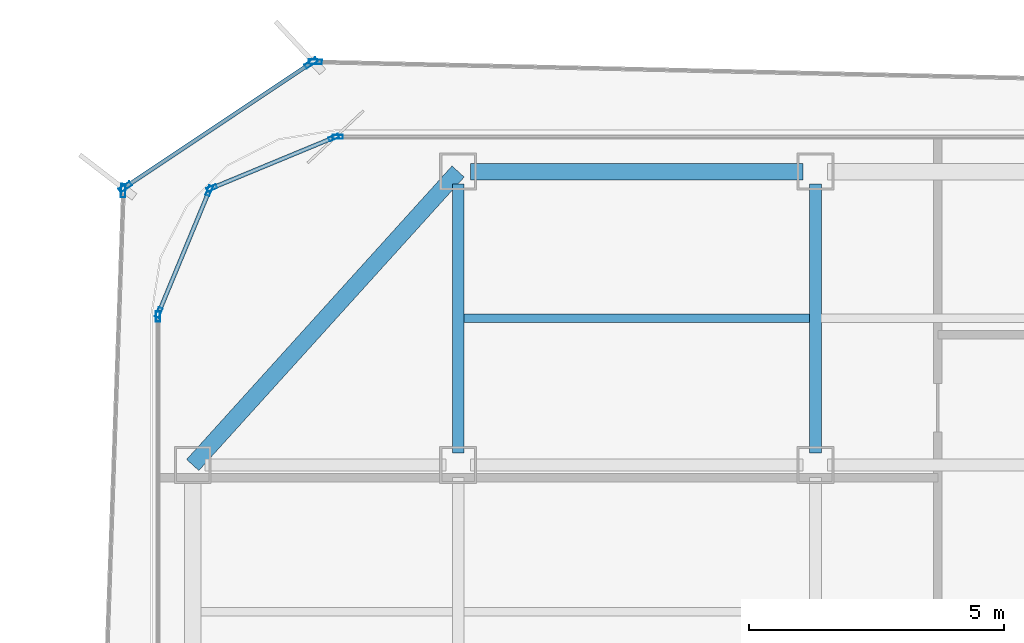
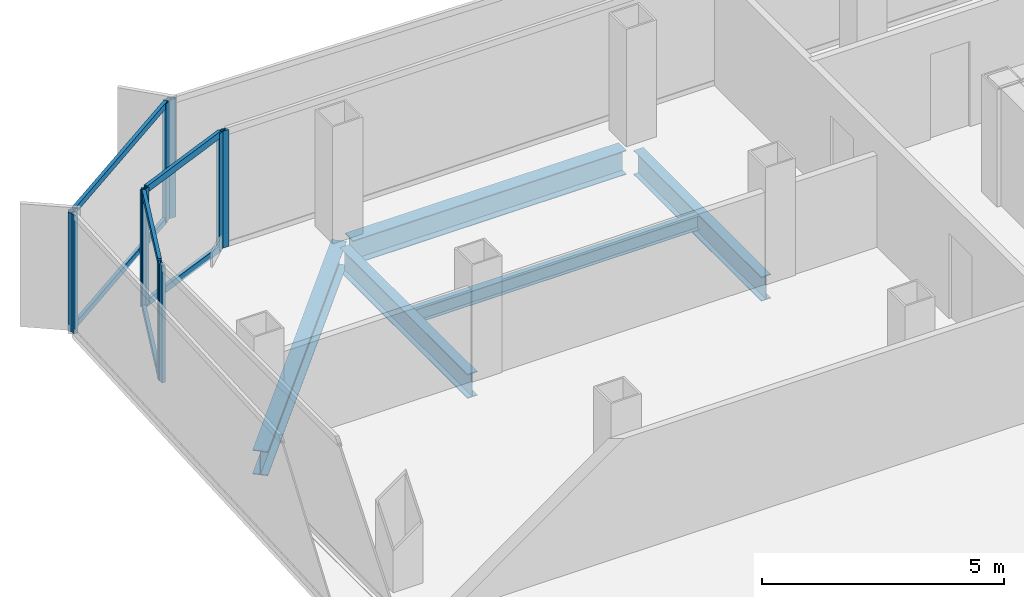
# One storey, part 6 of 16: 16 members, 5 beams, 7 elements without a shape of their own.
"""IFC4 building model written with IfcOpenShell, lengths in metres."""

from ifc_helpers import new_model, si_unit, direction, frame, origin, origin_2d, place, context, subcontext, project, spatial, hollow_rectangle, i_section, extrude, source, transform, mapped, material, layer, layer_set, material_profile, profile_set, type_object, element, aggregate, save


model = new_model("IFC4")

# Units and contexts
model_context = context("Model", 3, precision=1e-05, world=origin(), true_north=direction((0.0, 1.0)))
body_context = subcontext(model_context, "Body", "Model", "MODEL_VIEW")
ifc_project = project(units=[si_unit("LENGTHUNIT", "METRE"), si_unit("AREAUNIT", "SQUARE_METRE"), si_unit("VOLUMEUNIT", "CUBIC_METRE"), si_unit("PLANEANGLEUNIT", "RADIAN"), si_unit("MASSUNIT", "GRAM", prefix="KILO")], contexts=[model_context])

# Site, building, storey
site_placement = place(None, origin())
site = spatial("IfcSite", under=ifc_project, at=site_placement, CompositionType="ELEMENT")
building_placement = place(site_placement, origin())
building = spatial("IfcBuilding", under=site, at=building_placement, Name="Kolveth Station Tower", CompositionType="ELEMENT")
storey_placement = place(building_placement, frame((0.0, 0.0, 178.5)))
storey = spatial("IfcBuildingStorey", under=building, at=storey_placement, Name="L50", CompositionType="ELEMENT", Elevation=178.5)

# Beams
ifc_material_1 = material(Name="Steel S355", Category="steel")
ifc_material_profile_1 = material_profile(ifc_material_1, i_section(OverallWidth=0.323974609375, OverallDepth=0.611083984375, WebThickness=0.0126953125, FlangeThickness=0.01904296875, at=origin_2d()), Name="W610x155")
ifc_profile_set_1 = profile_set([ifc_material_profile_1], Name="Steel S355")
beam_type_1 = type_object("IfcBeamType", Name="Beam_SP2", PredefinedType="SPANDREL", material=ifc_profile_set_1)
shared_shape_1 = source(origin(), body_context, "Body", "SweptSolid", [
    extrude(i_section(OverallWidth=0.323974609375, OverallDepth=0.611083984375, WebThickness=0.0126953125, FlangeThickness=0.01904296875, at=origin_2d()), origin(), (0.0, 0.0, 1.0), 7.75244140625),
])
beam_1_placement = place(storey_placement, frame((6.0, 34.5, -0.555419921875), z_axis=(-0.670740965555, -0.74169168603, 0.0), x_axis=(0.74169168603, -0.670740965555, 0.0)))
element("IfcBeam", 1, at=beam_1_placement, inside=storey, type_object=beam_type_1, Name="L50 Corner Edge Girder BM-L50-CNR-NW", PredefinedType="SPANDREL", context=body_context, shape_type="MappedRepresentation", body=[
    mapped(shared_shape_1, transform((0.0, 0.0, 0.0), x_axis=(1.0, 0.0, 0.0), y_axis=(0.0, 1.0, 0.0), z_axis=(0.0, 0.0, 1.0), scale=1.0)),
])
shared_shape_2 = source(origin(), body_context, "Body", "SweptSolid", [
    extrude(i_section(OverallWidth=0.323974609375, OverallDepth=0.611083984375, WebThickness=0.0126953125, FlangeThickness=0.01904296875, at=origin_2d()), origin(), (0.0, 0.0, 1.0), 6.52001953125),
])
beam_2_placement = place(storey_placement, frame((6.239990234375, 34.5, -0.555419921875), z_axis=(1.0, 0.0, 0.0), x_axis=(0.0, 1.0, 0.0)))
element("IfcBeam", 2, at=beam_2_placement, inside=storey, type_object=beam_type_1, Name="L50 Perimeter Spandrel BM-L50-PN-1", PredefinedType="SPANDREL", context=body_context, shape_type="MappedRepresentation", body=[
    mapped(shared_shape_2, transform((0.0, 0.0, 0.0), x_axis=(1.0, 0.0, 0.0), y_axis=(0.0, 1.0, 0.0), z_axis=(0.0, 0.0, 1.0), scale=1.0)),
])
ifc_material_profile_2 = material_profile(ifc_material_1, i_section(OverallWidth=0.22900390625, OverallDepth=0.612060546875, WebThickness=0.011962890625, FlangeThickness=0.01953125, at=origin_2d()), Name="W610x125")
ifc_profile_set_2 = profile_set([ifc_material_profile_2], Name="Steel S355")
beam_type_2 = type_object("IfcBeamType", Name="Beam_B5", PredefinedType="BEAM", material=ifc_profile_set_2)
shared_shape_3 = source(origin(), body_context, "Body", "SweptSolid", [
    extrude(i_section(OverallWidth=0.22900390625, OverallDepth=0.612060546875, WebThickness=0.011962890625, FlangeThickness=0.01953125, at=origin_2d()), origin(), (0.0, 0.0, 1.0), 5.27001953125),
])
for number, where, z_axis, x_axis, name in (
    (3, (6.0, 28.989990234375, -0.555908203125), (0.0, 1.0, 0.0), (-1.0, 0.0, 0.0), "L50 Primary Girder BM-L50-GX60-6"),
    (4, (13.0, 28.989990234375, -0.555908203125), (0.0, 1.0, 0.0), (-1.0, 0.0, 0.0), "L50 Primary Girder BM-L50-GX130-6"),
):
    element("IfcBeam", number, at=place(storey_placement, frame(where, z_axis=z_axis, x_axis=x_axis)), inside=storey, type_object=beam_type_2, Name=name, PredefinedType="BEAM", context=body_context, shape_type="MappedRepresentation", body=[
        mapped(shared_shape_3, transform((0.0, 0.0, 0.0), x_axis=(1.0, 0.0, 0.0), y_axis=(0.0, 1.0, 0.0), z_axis=(0.0, 0.0, 1.0), scale=1.0)),
    ])
ifc_material_profile_3 = material_profile(ifc_material_1, i_section(OverallWidth=0.1708984375, OverallDepth=0.35205078125, WebThickness=0.0068359375, FlangeThickness=0.009765625, at=origin_2d()), Name="W360x44")
ifc_profile_set_3 = profile_set([ifc_material_profile_3], Name="Steel S355")
beam_type_3 = type_object("IfcBeamType", Name="Beam_J2", PredefinedType="JOIST", material=ifc_profile_set_3)
shared_shape_4 = source(origin(), body_context, "Body", "SweptSolid", [
    extrude(i_section(OverallWidth=0.1708984375, OverallDepth=0.35205078125, WebThickness=0.0068359375, FlangeThickness=0.009765625, at=origin_2d()), origin(), (0.0, 0.0, 1.0), 6.77490234375),
])
beam_3_placement = place(storey_placement, frame((6.112548828125, 31.625, -0.426025390625), z_axis=(1.0, 0.0, 0.0), x_axis=(0.0, 1.0, 0.0)))
element("IfcBeam", 5, at=beam_3_placement, inside=storey, type_object=beam_type_3, Name="L50 Secondary Joist JST-L50-2-6", PredefinedType="JOIST", context=body_context, shape_type="MappedRepresentation", body=[
    mapped(shared_shape_4, transform((0.0, 0.0, 0.0), x_axis=(1.0, 0.0, 0.0), y_axis=(0.0, 1.0, 0.0), z_axis=(0.0, 0.0, 1.0), scale=1.0)),
])

# Curtain wall, member
ifc_material_2 = material(Name="Aluminium 6063-T6 and low-E dark glass", Category="aluminium")
ifc_layer_1 = layer(ifc_material_2, 0.18994140625)
ifc_layer_set_1 = layer_set([ifc_layer_1], Name="Aluminium 6063-T6 and low-E dark glass")
curtain_wall_type_1 = type_object("IfcCurtainWallType", Name="CurtainWall_CW-Z2", PredefinedType="NOTDEFINED", material=ifc_layer_set_1)
curtain_wall_1_placement = place(storey_placement, origin())
curtain_wall_1 = element("IfcCurtainWall", 6, at=curtain_wall_1_placement, inside=storey, type_object=curtain_wall_type_1, Name="L50 Inner Thermal Curtain Wall 6", PredefinedType="NOTDEFINED")
ifc_material_3 = material(Name="Black anodized aluminium 6063-T6", Category="aluminium")
ifc_material_profile_4 = material_profile(ifc_material_3, hollow_rectangle(XDim=0.080078125, YDim=0.199951171875, WallThickness=0.0048828125, at=origin_2d()), Name="ALU-80x200x5")
ifc_profile_set_4 = profile_set([ifc_material_profile_4], Name="Black anodized aluminium 6063-T6")
member_type_1 = type_object("IfcMemberType", Name="Mullion_ML2", PredefinedType="MULLION", material=ifc_profile_set_4)
shared_shape_5 = source(origin(), body_context, "Body", "SweptSolid", [
    extrude(hollow_rectangle(XDim=0.080078125, YDim=0.199951171875, WallThickness=0.0048828125, at=origin_2d()), origin(), (0.0, 0.0, 1.0), 2.949951171875),
])
member_1_placement = place(storey_placement, frame((3.639892578125, 35.179931640625, 0.0), z_axis=(0.0, 0.0, 1.0), x_axis=(0.0, -1.0, 0.0)))
member_1 = element("IfcMember", 7, at=member_1_placement, type_object=member_type_1, Name="CW-Z2 mullion 2", PredefinedType="MULLION", context=body_context, shape_type="MappedRepresentation", body=[
    mapped(shared_shape_5, transform((0.0, 0.0, 0.0), x_axis=(1.0, 0.0, 0.0), y_axis=(0.0, 1.0, 0.0), z_axis=(0.0, 0.0, 1.0), scale=1.0)),
])
aggregate(curtain_wall_1, [member_1])

# Curtain wall, members
curtain_wall_2_placement = place(storey_placement, origin())
curtain_wall_2 = element("IfcCurtainWall", 8, at=curtain_wall_2_placement, inside=storey, type_object=curtain_wall_type_1, Name="L50 Inner Thermal Curtain Wall 7", PredefinedType="NOTDEFINED")
member_2_placement = place(storey_placement, frame((3.56298828125, 35.164794921875, 0.0), z_axis=(0.0, 0.0, 1.0), x_axis=(0.382697753087, -0.923873600544, 0.0)))
member_2 = element("IfcMember", 9, at=member_2_placement, type_object=member_type_1, Name="CW-Z2 mullion 1", PredefinedType="MULLION", context=body_context, shape_type="MappedRepresentation", body=[
    mapped(shared_shape_5, transform((0.0, 0.0, 0.0), x_axis=(1.0, 0.0, 0.0), y_axis=(0.0, 1.0, 0.0), z_axis=(0.0, 0.0, 1.0), scale=1.0)),
])
member_3_placement = place(storey_placement, frame((1.17626953125, 34.176025390625, 0.0), z_axis=(0.0, 0.0, 1.0), x_axis=(0.382697753087, -0.923873600544, 0.0)))
member_3 = element("IfcMember", 10, at=member_3_placement, type_object=member_type_1, Name="CW-Z2 mullion 2", PredefinedType="MULLION", context=body_context, shape_type="MappedRepresentation", body=[
    mapped(shared_shape_5, transform((0.0, 0.0, 0.0), x_axis=(1.0, 0.0, 0.0), y_axis=(0.0, 1.0, 0.0), z_axis=(0.0, 0.0, 1.0), scale=1.0)),
])

curtain_wall_3_placement = place(storey_placement, origin())
curtain_wall_3 = element("IfcCurtainWall", 11, at=curtain_wall_3_placement, inside=storey, type_object=curtain_wall_type_1, Name="L50 Inner Thermal Curtain Wall 8", PredefinedType="NOTDEFINED")
member_4_placement = place(storey_placement, frame((1.1240234375, 34.123779296875, 0.0), z_axis=(0.0, 0.0, 1.0), x_axis=(0.923873600544, -0.382697753087, 0.0)))
member_4 = element("IfcMember", 12, at=member_4_placement, type_object=member_type_1, Name="CW-Z2 mullion 1", PredefinedType="MULLION", context=body_context, shape_type="MappedRepresentation", body=[
    mapped(shared_shape_5, transform((0.0, 0.0, 0.0), x_axis=(1.0, 0.0, 0.0), y_axis=(0.0, 1.0, 0.0), z_axis=(0.0, 0.0, 1.0), scale=1.0)),
])
member_5_placement = place(storey_placement, frame((0.13525390625, 31.737060546875, 0.0), z_axis=(0.0, 0.0, 1.0), x_axis=(0.923873600544, -0.382697753087, 0.0)))
member_5 = element("IfcMember", 13, at=member_5_placement, type_object=member_type_1, Name="CW-Z2 mullion 2", PredefinedType="MULLION", context=body_context, shape_type="MappedRepresentation", body=[
    mapped(shared_shape_5, transform((0.0, 0.0, 0.0), x_axis=(1.0, 0.0, 0.0), y_axis=(0.0, 1.0, 0.0), z_axis=(0.0, 0.0, 1.0), scale=1.0)),
])

# Curtain wall, member
curtain_wall_4_placement = place(storey_placement, origin())
curtain_wall_4 = element("IfcCurtainWall", 14, at=curtain_wall_4_placement, inside=storey, type_object=curtain_wall_type_1, Name="L50 Inner Thermal Curtain Wall 9", PredefinedType="NOTDEFINED")
member_6_placement = place(storey_placement, frame((0.1201171875, 31.659912109375, 0.0), z_axis=(0.0, 0.0, 1.0), x_axis=(1.0, 0.0, 0.0)))
member_6 = element("IfcMember", 15, at=member_6_placement, type_object=member_type_1, Name="CW-Z2 mullion 1", PredefinedType="MULLION", context=body_context, shape_type="MappedRepresentation", body=[
    mapped(shared_shape_5, transform((0.0, 0.0, 0.0), x_axis=(1.0, 0.0, 0.0), y_axis=(0.0, 1.0, 0.0), z_axis=(0.0, 0.0, 1.0), scale=1.0)),
])
aggregate(curtain_wall_4, [member_6])

ifc_material_4 = material(Name="Black anodized aluminium 6063-T6 and dark solar glass", Category="aluminium")
ifc_layer_2 = layer(ifc_material_4, 0.159912109375)
ifc_layer_set_2 = layer_set([ifc_layer_2], Name="Black anodized aluminium 6063-T6 and dark solar glass")
curtain_wall_type_2 = type_object("IfcCurtainWallType", Name="OUTER SKIN CW-OS", PredefinedType="NOTDEFINED", material=ifc_layer_set_2)
curtain_wall_5_placement = place(storey_placement, origin())
curtain_wall_5 = element("IfcCurtainWall", 16, at=curtain_wall_5_placement, inside=storey, type_object=curtain_wall_type_2, Name="L50 Outer Ventilated Skin Curtain Wall 4", PredefinedType="NOTDEFINED")
ifc_material_profile_5 = material_profile(ifc_material_3, hollow_rectangle(XDim=0.090087890625, YDim=0.260009765625, WallThickness=0.0048828125, at=origin_2d()), Name="ALU-90x260x5")
ifc_profile_set_5 = profile_set([ifc_material_profile_5], Name="Black anodized aluminium 6063-T6")
member_type_2 = type_object("IfcMemberType", Name="FIN MULLION ML-OS", PredefinedType="MULLION", material=ifc_profile_set_5)
shared_shape_6 = source(origin(), body_context, "Body", "SweptSolid", [
    extrude(hollow_rectangle(XDim=0.090087890625, YDim=0.260009765625, WallThickness=0.0048828125, at=origin_2d()), origin(), (0.0, 0.0, 1.0), 2.989990234375),
])
member_7_placement = place(storey_placement, frame((3.203125, 36.650634765625, 0.0), z_axis=(0.0, 0.0, 1.0), x_axis=(-0.022766385466, -0.999740812257, 0.0)))
member_7 = element("IfcMember", 17, at=member_7_placement, type_object=member_type_2, Name="CW-OS mullion 2", PredefinedType="MULLION", context=body_context, shape_type="MappedRepresentation", body=[
    mapped(shared_shape_6, transform((0.0, 0.0, 0.0), x_axis=(1.0, 0.0, 0.0), y_axis=(0.0, 1.0, 0.0), z_axis=(0.0, 0.0, 1.0), scale=1.0)),
])
aggregate(curtain_wall_5, [member_7])

# Curtain wall, members
curtain_wall_6_placement = place(storey_placement, origin())
curtain_wall_6 = element("IfcCurtainWall", 18, at=curtain_wall_6_placement, inside=storey, type_object=curtain_wall_type_2, Name="L50 Outer Ventilated Skin Curtain Wall 5", PredefinedType="NOTDEFINED")
member_8_placement = place(storey_placement, frame((3.120849609375, 36.626708984375, 0.0), z_axis=(0.0, 0.0, 1.0), x_axis=(0.555159596798, -0.831743844031, 0.0)))
member_8 = element("IfcMember", 19, at=member_8_placement, type_object=member_type_2, Name="CW-OS mullion 1", PredefinedType="MULLION", context=body_context, shape_type="MappedRepresentation", body=[
    mapped(shared_shape_6, transform((0.0, 0.0, 0.0), x_axis=(1.0, 0.0, 0.0), y_axis=(0.0, 1.0, 0.0), z_axis=(0.0, 0.0, 1.0), scale=1.0)),
])
member_9_placement = place(storey_placement, frame((-0.522216796875, 34.195068359375, 0.0), z_axis=(0.0, 0.0, 1.0), x_axis=(0.555159596798, -0.831743844031, 0.0)))
member_9 = element("IfcMember", 20, at=member_9_placement, type_object=member_type_2, Name="CW-OS mullion 2", PredefinedType="MULLION", context=body_context, shape_type="MappedRepresentation", body=[
    mapped(shared_shape_6, transform((0.0, 0.0, 0.0), x_axis=(1.0, 0.0, 0.0), y_axis=(0.0, 1.0, 0.0), z_axis=(0.0, 0.0, 1.0), scale=1.0)),
])

# Curtain wall, member
curtain_wall_7_placement = place(storey_placement, origin())
curtain_wall_7 = element("IfcCurtainWall", 21, at=curtain_wall_7_placement, inside=storey, type_object=curtain_wall_type_2, Name="L50 Outer Ventilated Skin Curtain Wall 6", PredefinedType="NOTDEFINED")
member_10_placement = place(storey_placement, frame((-0.561279296875, 34.125244140625, 0.0), z_axis=(0.0, 0.0, 1.0), x_axis=(0.999376432226, -0.035309300622, 0.0)))
member_10 = element("IfcMember", 22, at=member_10_placement, type_object=member_type_2, Name="CW-OS mullion 1", PredefinedType="MULLION", context=body_context, shape_type="MappedRepresentation", body=[
    mapped(shared_shape_6, transform((0.0, 0.0, 0.0), x_axis=(1.0, 0.0, 0.0), y_axis=(0.0, 1.0, 0.0), z_axis=(0.0, 0.0, 1.0), scale=1.0)),
])
aggregate(curtain_wall_7, [member_10])

# Member
ifc_material_profile_6 = material_profile(ifc_material_3, hollow_rectangle(XDim=0.080078125, YDim=0.169921875, WallThickness=0.0048828125, at=origin_2d()), Name="ALU-80x170x5")
ifc_profile_set_6 = profile_set([ifc_material_profile_6], Name="Black anodized aluminium 6063-T6")
member_type_3 = type_object("IfcMemberType", Name="Transom_TR2", PredefinedType="USERDEFINED", material=ifc_profile_set_6)
shared_shape_7 = source(origin(), body_context, "Body", "SweptSolid", [
    extrude(hollow_rectangle(XDim=0.080078125, YDim=0.169921875, WallThickness=0.0048828125, at=origin_2d()), origin(), (0.0, 0.0, 1.0), 2.50341796875),
])
member_11_placement = place(storey_placement, frame((3.526123046875, 35.1494140625, 0.0400390625), z_axis=(-0.923888472039, -0.382661849723, 0.0), x_axis=(0.382661849723, -0.923888472039, 0.0)))
member_11 = element("IfcMember", 23, at=member_11_placement, type_object=member_type_3, Name="CW-Z2 transom 1.1", ObjectType="TRANSOM", PredefinedType="USERDEFINED", context=body_context, shape_type="MappedRepresentation", body=[
    mapped(shared_shape_7, transform((0.0, 0.0, 0.0), x_axis=(1.0, 0.0, 0.0), y_axis=(0.0, 1.0, 0.0), z_axis=(0.0, 0.0, 1.0), scale=1.0)),
])

member_12_placement = place(storey_placement, frame((3.526123046875, 35.1494140625, 2.909912109375), z_axis=(-0.923888472039, -0.382661849723, 0.0), x_axis=(0.382661849723, -0.923888472039, 0.0)))
member_12 = element("IfcMember", 24, at=member_12_placement, type_object=member_type_3, Name="CW-Z2 transom 1.2", ObjectType="TRANSOM", PredefinedType="USERDEFINED", context=body_context, shape_type="MappedRepresentation", body=[
    mapped(shared_shape_7, transform((0.0, 0.0, 0.0), x_axis=(1.0, 0.0, 0.0), y_axis=(0.0, 1.0, 0.0), z_axis=(0.0, 0.0, 1.0), scale=1.0)),
])

aggregate(curtain_wall_2, [member_2, member_3, member_11, member_12])

member_13_placement = place(storey_placement, frame((1.108642578125, 34.086669921875, 0.0400390625), z_axis=(-0.382696328882, -0.923874190494, 0.0), x_axis=(0.923874190494, -0.382696328882, 0.0)))
member_13 = element("IfcMember", 25, at=member_13_placement, type_object=member_type_3, Name="CW-Z2 transom 1.1", ObjectType="TRANSOM", PredefinedType="USERDEFINED", context=body_context, shape_type="MappedRepresentation", body=[
    mapped(shared_shape_7, transform((0.0, 0.0, 0.0), x_axis=(1.0, 0.0, 0.0), y_axis=(0.0, 1.0, 0.0), z_axis=(0.0, 0.0, 1.0), scale=1.0)),
])

member_14_placement = place(storey_placement, frame((1.108642578125, 34.086669921875, 2.909912109375), z_axis=(-0.382696328882, -0.923874190494, 0.0), x_axis=(0.923874190494, -0.382696328882, 0.0)))
member_14 = element("IfcMember", 26, at=member_14_placement, type_object=member_type_3, Name="CW-Z2 transom 1.2", ObjectType="TRANSOM", PredefinedType="USERDEFINED", context=body_context, shape_type="MappedRepresentation", body=[
    mapped(shared_shape_7, transform((0.0, 0.0, 0.0), x_axis=(1.0, 0.0, 0.0), y_axis=(0.0, 1.0, 0.0), z_axis=(0.0, 0.0, 1.0), scale=1.0)),
])

aggregate(curtain_wall_3, [member_4, member_5, member_13, member_14])

ifc_material_profile_7 = material_profile(ifc_material_3, hollow_rectangle(XDim=0.080078125, YDim=0.14990234375, WallThickness=0.0048828125, at=origin_2d()), Name="ALU-80x150x5")
ifc_profile_set_7 = profile_set([ifc_material_profile_7], Name="Black anodized aluminium 6063-T6")
member_type_4 = type_object("IfcMemberType", Name="Transom_TR-OS", PredefinedType="USERDEFINED", material=ifc_profile_set_7)
shared_shape_8 = source(origin(), body_context, "Body", "SweptSolid", [
    extrude(hollow_rectangle(XDim=0.080078125, YDim=0.14990234375, WallThickness=0.0048828125, at=origin_2d()), origin(), (0.0, 0.0, 1.0), 4.2900390625),
])
member_15_placement = place(storey_placement, frame((3.083251953125, 36.601806640625, 0.0400390625), z_axis=(-0.831743727406, -0.555159771526, 0.0), x_axis=(0.555159771526, -0.831743727406, 0.0)))
member_15 = element("IfcMember", 27, at=member_15_placement, type_object=member_type_4, Name="CW-OS transom 1.1", ObjectType="TRANSOM", PredefinedType="USERDEFINED", context=body_context, shape_type="MappedRepresentation", body=[
    mapped(shared_shape_8, transform((0.0, 0.0, 0.0), x_axis=(1.0, 0.0, 0.0), y_axis=(0.0, 1.0, 0.0), z_axis=(0.0, 0.0, 1.0), scale=1.0)),
])

member_16_placement = place(storey_placement, frame((3.083251953125, 36.601806640625, 2.949951171875), z_axis=(-0.831743727406, -0.555159771526, 0.0), x_axis=(0.555159771526, -0.831743727406, 0.0)))
member_16 = element("IfcMember", 28, at=member_16_placement, type_object=member_type_4, Name="CW-OS transom 1.2", ObjectType="TRANSOM", PredefinedType="USERDEFINED", context=body_context, shape_type="MappedRepresentation", body=[
    mapped(shared_shape_8, transform((0.0, 0.0, 0.0), x_axis=(1.0, 0.0, 0.0), y_axis=(0.0, 1.0, 0.0), z_axis=(0.0, 0.0, 1.0), scale=1.0)),
])

aggregate(curtain_wall_6, [member_8, member_9, member_15, member_16])

save(model, "model.ifc")
